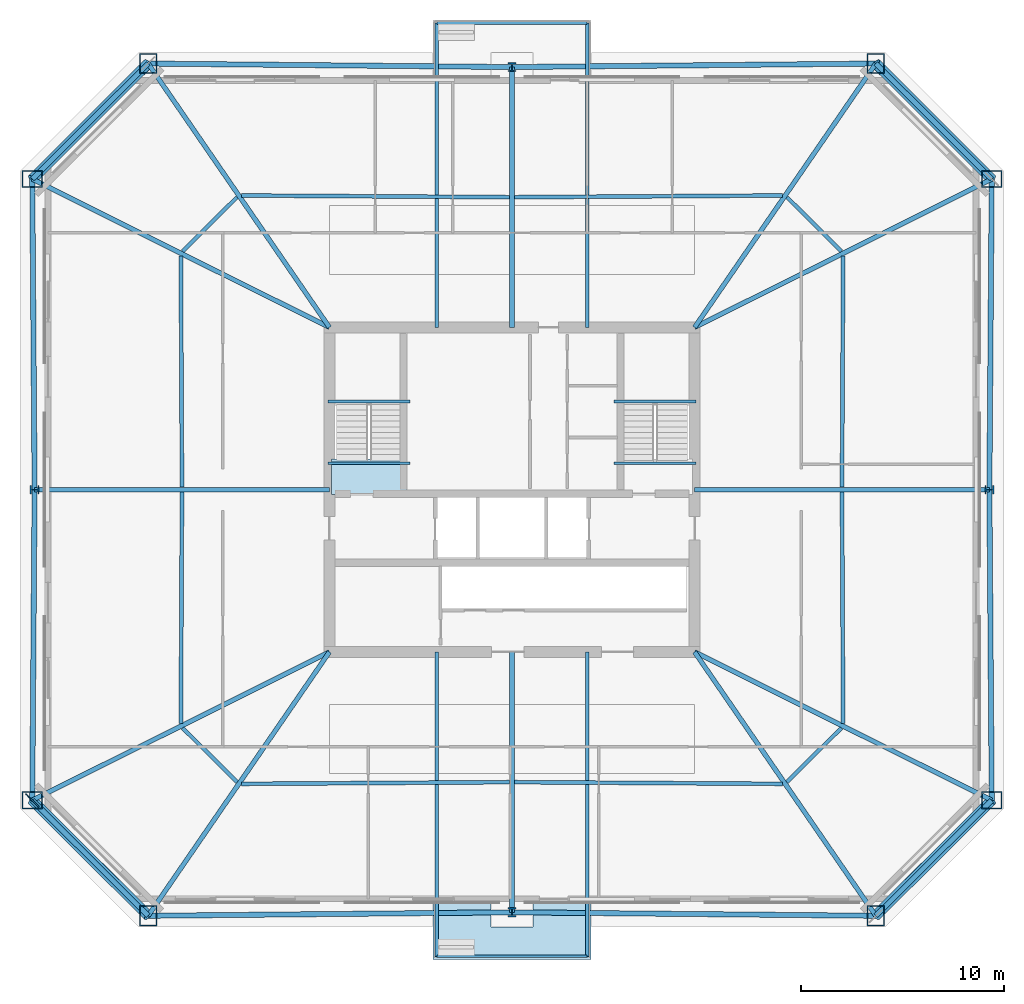
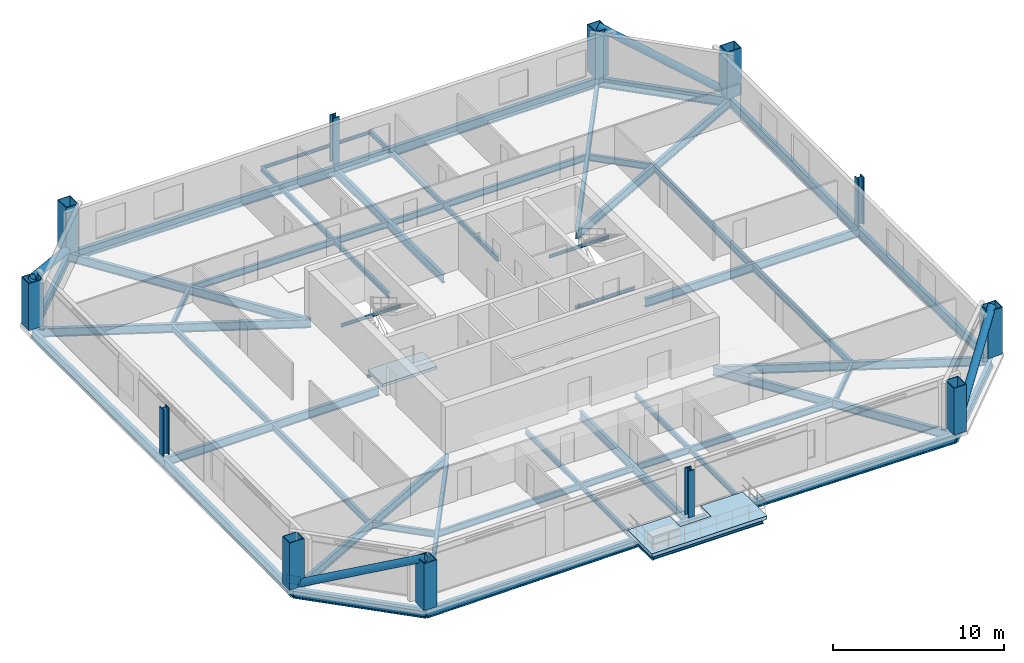
# One storey, part 1 of 7: 46 beams, 12 columns, 4 members, 2 slabs, 1 plate, 1 element without a shape of its own.
"""IFC4 building model written with IfcOpenShell, lengths in metres."""

from ifc_helpers import new_model, si_unit, direction, frame, origin, origin_2d, place, context, subcontext, project, spatial, polyline, rectangle, hollow_rectangle, hollow_circle, i_section, outline, extrude, material, layer, layer_set, material_profile, profile_set, type_object, element, aggregate, save


model = new_model("IFC4")

# Units and contexts
model_context = context("Model", 3, precision=1e-05, world=origin(), true_north=direction((0.0, 1.0)))
body_context = subcontext(model_context, "Body", "Model", "MODEL_VIEW")
ifc_project = project(units=[si_unit("LENGTHUNIT", "METRE"), si_unit("AREAUNIT", "SQUARE_METRE"), si_unit("VOLUMEUNIT", "CUBIC_METRE"), si_unit("PLANEANGLEUNIT", "RADIAN"), si_unit("MASSUNIT", "GRAM", prefix="KILO")], contexts=[model_context])

# Site, building, storey
site_placement = place(None, origin())
site = spatial("IfcSite", under=ifc_project, at=site_placement, CompositionType="ELEMENT")
building_placement = place(site_placement, origin())
building = spatial("IfcBuilding", under=site, at=building_placement, Name="Caelvoria Tower", CompositionType="ELEMENT")
storey_placement = place(building_placement, frame((0.0, 0.0, 109.60009765625)))
storey = spatial("IfcBuildingStorey", under=building, at=storey_placement, Name="L28", CompositionType="ELEMENT", Elevation=109.60009765625)

# Columns
ifc_material_1 = material(Name="Structural Steel ASTM A572 Gr.50", Category="steel")
ifc_material_profile_1 = material_profile(ifc_material_1, hollow_rectangle(XDim=0.85009765625, YDim=1.0, WallThickness=0.050048828125, at=origin_2d()), Name="Structural Steel ASTM A572 Gr.50")
ifc_profile_set_1 = profile_set([ifc_material_profile_1], Name="BOX1000X850X50 - Structural Steel ASTM A572 Gr.50")
column_type_1 = type_object("IfcColumnType", Name="Mega Box Column 1000x850x50", PredefinedType="COLUMN", material=ifc_profile_set_1)
for number, where, z_axis, x_axis, name in (
    (1, (28.0673828125, 10.99755859375, 0.0), (0.0, 0.0, 1.0), (1.0, 0.0, 0.0), "Perimeter Megaframe Column L28-P00"),
    (2, (63.9326171875, 10.99755859375, 0.0), (0.0, 0.0, 1.0), (1.0, 0.0, 0.0), "Perimeter Megaframe Column L28-P02"),
    (3, (69.6455078125, 16.69140625, 0.0), (0.0, 0.0, 1.0), (0.0, 1.0, 0.0), "Perimeter Megaframe Column L28-P03"),
    (4, (69.6455078125, 47.30859375, 0.0), (0.0, 0.0, 1.0), (0.0, 1.0, 0.0), "Perimeter Megaframe Column L28-P05"),
    (5, (63.9326171875, 53.00244140625, 0.0), (0.0, 0.0, 1.0), (1.0, 0.0, 0.0), "Perimeter Megaframe Column L28-P06"),
    (6, (28.0673828125, 53.00244140625, 0.0), (0.0, 0.0, 1.0), (1.0, 0.0, 0.0), "Perimeter Megaframe Column L28-P08"),
    (7, (22.3544921875, 47.30859375, 0.0), (0.0, 0.0, 1.0), (0.0, 1.0, 0.0), "Perimeter Megaframe Column L28-P09"),
    (8, (22.3544921875, 16.69140625, 0.0), (0.0, 0.0, 1.0), (0.0, 1.0, 0.0), "Perimeter Megaframe Column L28-P11"),
):
    element("IfcColumn", number, at=place(storey_placement, frame(where, z_axis=z_axis, x_axis=x_axis)), inside=storey, type_object=column_type_1, Name=name, PredefinedType="COLUMN", context=body_context, shape_type="SweptSolid", body=[
        extrude(hollow_rectangle(XDim=0.85009765625, YDim=1.0, WallThickness=0.050048828125, at=origin_2d()), origin(), (0.0, 0.0, 1.0), 3.35791015625),
    ])
ifc_material_2 = material(Name="Structural Steel ASTM A913 Gr.65", Category="steel")
ifc_material_profile_2 = material_profile(ifc_material_2, i_section(OverallWidth=0.41796875, OverallDepth=0.455078125, WebThickness=0.0419921875, FlangeThickness=0.067626953125, FilletRadius=0.02490234375, at=origin_2d()), Name="Structural Steel ASTM A913 Gr.65")
ifc_profile_set_2 = profile_set([ifc_material_profile_2], Name="W360X551 - Structural Steel ASTM A913 Gr.65")
column_type_2 = type_object("IfcColumnType", Name="Mid Frame Column W360X551", PredefinedType="COLUMN", material=ifc_profile_set_2)
for number, where, z_axis, x_axis, name in (
    (9, (46.0, 11.169921875, 0.0), (0.0, 0.0, 1.0), (1.0, 0.0, 0.0), "Perimeter Megaframe Column L28-P01"),
    (10, (69.530029296875, 32.0, 0.0), (0.0, 0.0, 1.0), (0.0, 1.0, 0.0), "Perimeter Megaframe Column L28-P04"),
    (11, (46.0, 52.830078125, 0.0), (0.0, 0.0, 1.0), (1.0, 0.0, 0.0), "Perimeter Megaframe Column L28-P07"),
    (12, (22.469970703125, 32.0, 0.0), (0.0, 0.0, 1.0), (0.0, 1.0, 0.0), "Perimeter Megaframe Column L28-P10"),
):
    element("IfcColumn", number, at=place(storey_placement, frame(where, z_axis=z_axis, x_axis=x_axis)), inside=storey, type_object=column_type_2, Name=name, PredefinedType="COLUMN", context=body_context, shape_type="SweptSolid", body=[
        extrude(i_section(OverallWidth=0.41796875, OverallDepth=0.455078125, WebThickness=0.0419921875, FlangeThickness=0.067626953125, FilletRadius=0.02490234375, at=origin_2d()), origin(), (0.0, 0.0, 1.0), 3.35791015625),
    ])

# Beams
ifc_material_3 = material(Name="Structural Steel ASTM A992 Gr.50", Category="steel")
ifc_material_profile_3 = material_profile(ifc_material_3, i_section(OverallWidth=0.134033203125, OverallDepth=0.2099609375, WebThickness=0.00634765625, FlangeThickness=0.01025390625, FilletRadius=0.010009765625, at=origin_2d()), Name="Structural Steel ASTM A992 Gr.50")
ifc_profile_set_3 = profile_set([ifc_material_profile_3], Name="W200X31.3 - Structural Steel ASTM A992 Gr.50")
beam_type_1 = type_object("IfcBeamType", Name="Canopy Edge Trim Beam W200X31.3", PredefinedType="BEAM", material=ifc_profile_set_3)
for number, where, z_axis, x_axis, name in (
    (13, (42.300048828125, 9.0, -0.42919921875), (1.0, 0.0, 0.0), (0.0, 1.0, 0.0), "Tree Balcony Edge Beam TB-L28-S"),
    (14, (42.300048828125, 55.0, -0.42919921875), (1.0, 0.0, 0.0), (0.0, 1.0, 0.0), "Tree Balcony Edge Beam TB-L28-N"),
):
    element("IfcBeam", number, at=place(storey_placement, frame(where, z_axis=z_axis, x_axis=x_axis)), inside=storey, type_object=beam_type_1, Name=name, PredefinedType="BEAM", context=body_context, shape_type="SweptSolid", body=[
        extrude(i_section(OverallWidth=0.134033203125, OverallDepth=0.2099609375, WebThickness=0.00634765625, FlangeThickness=0.01025390625, FilletRadius=0.010009765625, at=origin_2d()), origin(), (0.0, 0.0, 1.0), 7.39990234375),
    ])
for number, where, z_axis, x_axis, name in (
    (15, (36.929931640625, 36.35009765625, 1.494873046875), (1.0, 0.0, 0.0), (0.0, 1.0, 0.0), "ST-01 Half-Landing Support Beam L28"),
    (16, (36.929931640625, 33.300048828125, -0.30517578125), (1.0, 0.0, 0.0), (0.0, 1.0, 0.0), "ST-01 Floor-Landing Support Beam L28"),
    (17, (51.030029296875, 36.35009765625, 1.494873046875), (1.0, 0.0, 0.0), (0.0, 1.0, 0.0), "ST-02 Half-Landing Support Beam L28"),
    (18, (51.030029296875, 33.300048828125, -0.30517578125), (1.0, 0.0, 0.0), (0.0, 1.0, 0.0), "ST-02 Floor-Landing Support Beam L28"),
):
    element("IfcBeam", number, at=place(storey_placement, frame(where, z_axis=z_axis, x_axis=x_axis)), inside=storey, type_object=beam_type_1, Name=name, PredefinedType="BEAM", context=body_context, shape_type="SweptSolid", body=[
        extrude(i_section(OverallWidth=0.134033203125, OverallDepth=0.2099609375, WebThickness=0.00634765625, FlangeThickness=0.01025390625, FilletRadius=0.010009765625, at=origin_2d()), origin(), (0.0, 0.0, 1.0), 4.0400390625),
    ])

# Members
ifc_material_profile_4 = material_profile(ifc_material_1, hollow_circle(Radius=0.25390625, WallThickness=0.02001953125, at=origin_2d()), Name="Structural Steel ASTM A572 Gr.50")
ifc_profile_set_4 = profile_set([ifc_material_profile_4], Name="CHS508X20 - Structural Steel ASTM A572 Gr.50")
member_type = type_object("IfcMemberType", Name="Mid Perimeter Mega Brace CHS508X20", PredefinedType="BRACE", material=ifc_profile_set_4)
for number, where, z_axis, x_axis, name in (
    (19, (63.9326171875, 10.99755859375, 0.0), (0.653828148639, 0.651648721477, 0.384529187247), (-0.705925318692, 0.708286272936, 0.0), "Perimeter Chamfer Mega Brace L28 SE"),
    (20, (69.6455078125, 47.30859375, 0.0), (-0.653828148639, 0.651648721477, 0.384529187247), (-0.705925318692, -0.708286272936, 0.0), "Perimeter Chamfer Mega Brace L28 NE"),
    (21, (28.0673828125, 53.00244140625, 0.0), (-0.653828148639, -0.651648721477, 0.384529187247), (0.705925318692, -0.708286272936, 0.0), "Perimeter Chamfer Mega Brace L28 NW"),
    (22, (22.3544921875, 16.69140625, 0.0), (0.653828148639, -0.651648721477, 0.384529187247), (0.705925318692, 0.708286272936, 0.0), "Perimeter Chamfer Mega Brace L28 SW"),
):
    element("IfcMember", number, at=place(storey_placement, frame(where, z_axis=z_axis, x_axis=x_axis)), inside=storey, type_object=member_type, Name=name, PredefinedType="BRACE", context=body_context, shape_type="SweptSolid", body=[
        extrude(hollow_circle(Radius=0.25390625, WallThickness=0.02001953125, at=origin_2d()), origin(), (0.0, 0.0, 1.0), 8.737548828125),
    ])

# Beams
ifc_material_profile_5 = material_profile(ifc_material_3, i_section(OverallWidth=0.25390625, OverallDepth=0.68798828125, WebThickness=0.01318359375, FlangeThickness=0.02099609375, FilletRadius=0.01904296875, at=origin_2d()), Name="Structural Steel ASTM A992 Gr.50")
ifc_profile_set_5 = profile_set([ifc_material_profile_5], Name="W690X152 - Structural Steel ASTM A992 Gr.50")
beam_type_2 = type_object("IfcBeamType", Name="Perimeter Spandrel Girder W690X152", PredefinedType="BEAM", material=ifc_profile_set_5)
for number, where, z_axis, x_axis, name in (
    (23, (28.0673828125, 10.99755859375, -0.583984375), (0.999953810627, 0.009611275259, 0.0), (-0.009611275259, 0.999953810627, 0.0), "Perimeter Spandrel Girder L28-00"),
    (24, (46.0, 11.169921875, -0.583984375), (0.999953810627, -0.009611275259, 0.0), (0.009611275259, 0.999953810627, 0.0), "Perimeter Spandrel Girder L28-01"),
):
    element("IfcBeam", number, at=place(storey_placement, frame(where, z_axis=z_axis, x_axis=x_axis)), inside=storey, type_object=beam_type_2, Name=name, PredefinedType="BEAM", context=body_context, shape_type="SweptSolid", body=[
        extrude(i_section(OverallWidth=0.25390625, OverallDepth=0.68798828125, WebThickness=0.01318359375, FlangeThickness=0.02099609375, FilletRadius=0.01904296875, at=origin_2d()), origin(), (0.0, 0.0, 1.0), 17.933349609375),
    ])
beam_1_placement = place(storey_placement, frame((63.9326171875, 10.99755859375, -0.583984375), z_axis=(0.708286272936, 0.705925318692, 0.0), x_axis=(-0.705925318692, 0.708286272936, 0.0)))
element("IfcBeam", 25, at=beam_1_placement, inside=storey, type_object=beam_type_2, Name="Perimeter Spandrel Girder L28-02", PredefinedType="BEAM", context=body_context, shape_type="SweptSolid", body=[
    extrude(i_section(OverallWidth=0.25390625, OverallDepth=0.68798828125, WebThickness=0.01318359375, FlangeThickness=0.02099609375, FilletRadius=0.01904296875, at=origin_2d()), origin(), (0.0, 0.0, 1.0), 8.065673828125),
])
for number, where, z_axis, x_axis, name in (
    (26, (69.6455078125, 16.69140625, -0.583984375), (-0.007543163803, 0.999971549935, 0.0), (-0.999971549935, -0.007543163803, 0.0), "Perimeter Spandrel Girder L28-03"),
    (27, (69.530029296875, 32.0, -0.583984375), (0.007543163803, 0.999971549935, 0.0), (-0.999971549935, 0.007543163803, 0.0), "Perimeter Spandrel Girder L28-04"),
):
    element("IfcBeam", number, at=place(storey_placement, frame(where, z_axis=z_axis, x_axis=x_axis)), inside=storey, type_object=beam_type_2, Name=name, PredefinedType="BEAM", context=body_context, shape_type="SweptSolid", body=[
        extrude(i_section(OverallWidth=0.25390625, OverallDepth=0.68798828125, WebThickness=0.01318359375, FlangeThickness=0.02099609375, FilletRadius=0.01904296875, at=origin_2d()), origin(), (0.0, 0.0, 1.0), 15.30908203125),
    ])
beam_2_placement = place(storey_placement, frame((69.6455078125, 47.30859375, -0.583984375), z_axis=(-0.708286272936, 0.705925318692, 0.0), x_axis=(-0.705925318692, -0.708286272936, 0.0)))
element("IfcBeam", 28, at=beam_2_placement, inside=storey, type_object=beam_type_2, Name="Perimeter Spandrel Girder L28-05", PredefinedType="BEAM", context=body_context, shape_type="SweptSolid", body=[
    extrude(i_section(OverallWidth=0.25390625, OverallDepth=0.68798828125, WebThickness=0.01318359375, FlangeThickness=0.02099609375, FilletRadius=0.01904296875, at=origin_2d()), origin(), (0.0, 0.0, 1.0), 8.065673828125),
])
for number, where, z_axis, x_axis, name in (
    (29, (63.9326171875, 53.00244140625, -0.583984375), (-0.999953810627, -0.009611275259, 0.0), (0.009611275259, -0.999953810627, 0.0), "Perimeter Spandrel Girder L28-06"),
    (30, (46.0, 52.830078125, -0.583984375), (-0.999953810627, 0.009611275259, 0.0), (-0.009611275259, -0.999953810627, 0.0), "Perimeter Spandrel Girder L28-07"),
):
    element("IfcBeam", number, at=place(storey_placement, frame(where, z_axis=z_axis, x_axis=x_axis)), inside=storey, type_object=beam_type_2, Name=name, PredefinedType="BEAM", context=body_context, shape_type="SweptSolid", body=[
        extrude(i_section(OverallWidth=0.25390625, OverallDepth=0.68798828125, WebThickness=0.01318359375, FlangeThickness=0.02099609375, FilletRadius=0.01904296875, at=origin_2d()), origin(), (0.0, 0.0, 1.0), 17.933349609375),
    ])
beam_3_placement = place(storey_placement, frame((28.0673828125, 53.00244140625, -0.583984375), z_axis=(-0.708286272936, -0.705925318692, 0.0), x_axis=(0.705925318692, -0.708286272936, 0.0)))
element("IfcBeam", 31, at=beam_3_placement, inside=storey, type_object=beam_type_2, Name="Perimeter Spandrel Girder L28-08", PredefinedType="BEAM", context=body_context, shape_type="SweptSolid", body=[
    extrude(i_section(OverallWidth=0.25390625, OverallDepth=0.68798828125, WebThickness=0.01318359375, FlangeThickness=0.02099609375, FilletRadius=0.01904296875, at=origin_2d()), origin(), (0.0, 0.0, 1.0), 8.065673828125),
])
for number, where, z_axis, x_axis, name in (
    (32, (22.3544921875, 47.30859375, -0.583984375), (0.007543163803, -0.999971549935, 0.0), (0.999971549935, 0.007543163803, 0.0), "Perimeter Spandrel Girder L28-09"),
    (33, (22.469970703125, 32.0, -0.583984375), (-0.007543163803, -0.999971549935, 0.0), (0.999971549935, -0.007543163803, 0.0), "Perimeter Spandrel Girder L28-10"),
):
    element("IfcBeam", number, at=place(storey_placement, frame(where, z_axis=z_axis, x_axis=x_axis)), inside=storey, type_object=beam_type_2, Name=name, PredefinedType="BEAM", context=body_context, shape_type="SweptSolid", body=[
        extrude(i_section(OverallWidth=0.25390625, OverallDepth=0.68798828125, WebThickness=0.01318359375, FlangeThickness=0.02099609375, FilletRadius=0.01904296875, at=origin_2d()), origin(), (0.0, 0.0, 1.0), 15.30908203125),
    ])
beam_4_placement = place(storey_placement, frame((22.3544921875, 16.69140625, -0.583984375), z_axis=(0.708286272936, -0.705925318692, 0.0), x_axis=(0.705925318692, 0.708286272936, 0.0)))
element("IfcBeam", 34, at=beam_4_placement, inside=storey, type_object=beam_type_2, Name="Perimeter Spandrel Girder L28-11", PredefinedType="BEAM", context=body_context, shape_type="SweptSolid", body=[
    extrude(i_section(OverallWidth=0.25390625, OverallDepth=0.68798828125, WebThickness=0.01318359375, FlangeThickness=0.02099609375, FilletRadius=0.01904296875, at=origin_2d()), origin(), (0.0, 0.0, 1.0), 8.065673828125),
])
ifc_material_profile_6 = material_profile(ifc_material_3, i_section(OverallWidth=0.22900390625, OverallDepth=0.612060546875, WebThickness=0.011962890625, FlangeThickness=0.01953125, FilletRadius=0.01806640625, at=origin_2d()), Name="Structural Steel ASTM A992 Gr.50")
ifc_profile_set_6 = profile_set([ifc_material_profile_6], Name="W610X125 - Structural Steel ASTM A992 Gr.50")
beam_type_3 = type_object("IfcBeamType", Name="Primary Radial Floor Girder W610X125", PredefinedType="BEAM", material=ifc_profile_set_6)
beam_5_placement = place(storey_placement, frame((37.0, 24.0, -0.546142578125), z_axis=(-0.566246357652, -0.824236047771, 0.0), x_axis=(0.824236047771, -0.566246357652, 0.0)))
element("IfcBeam", 35, at=beam_5_placement, inside=storey, type_object=beam_type_3, Name="Primary Floor Girder L28-00", PredefinedType="BEAM", context=body_context, shape_type="SweptSolid", body=[
    extrude(i_section(OverallWidth=0.22900390625, OverallDepth=0.612060546875, WebThickness=0.011962890625, FlangeThickness=0.01953125, FilletRadius=0.01806640625, at=origin_2d()), origin(), (0.0, 0.0, 1.0), 15.775146484375),
])
beam_6_placement = place(storey_placement, frame((46.0, 24.0, -0.546142578125), z_axis=(0.0, -1.0, 0.0), x_axis=(1.0, 0.0, 0.0)))
element("IfcBeam", 36, at=beam_6_placement, inside=storey, type_object=beam_type_3, Name="Primary Floor Girder L28-01", PredefinedType="BEAM", context=body_context, shape_type="SweptSolid", body=[
    extrude(i_section(OverallWidth=0.22900390625, OverallDepth=0.612060546875, WebThickness=0.011962890625, FlangeThickness=0.01953125, FilletRadius=0.01806640625, at=origin_2d()), origin(), (0.0, 0.0, 1.0), 12.830078125),
])
beam_7_placement = place(storey_placement, frame((55.0, 24.0, -0.546142578125), z_axis=(0.566246357652, -0.824236047771, 0.0), x_axis=(0.824236047771, 0.566246357652, 0.0)))
element("IfcBeam", 37, at=beam_7_placement, inside=storey, type_object=beam_type_3, Name="Primary Floor Girder L28-02", PredefinedType="BEAM", context=body_context, shape_type="SweptSolid", body=[
    extrude(i_section(OverallWidth=0.22900390625, OverallDepth=0.612060546875, WebThickness=0.011962890625, FlangeThickness=0.01953125, FilletRadius=0.01806640625, at=origin_2d()), origin(), (0.0, 0.0, 1.0), 15.775146484375),
])
beam_8_placement = place(storey_placement, frame((55.0, 24.0, -0.546142578125), z_axis=(0.894772971324, -0.446521365432, 0.0), x_axis=(0.446521365432, 0.894772971324, 0.0)))
element("IfcBeam", 38, at=beam_8_placement, inside=storey, type_object=beam_type_3, Name="Primary Floor Girder L28-03", PredefinedType="BEAM", context=body_context, shape_type="SweptSolid", body=[
    extrude(i_section(OverallWidth=0.22900390625, OverallDepth=0.612060546875, WebThickness=0.011962890625, FlangeThickness=0.01953125, FilletRadius=0.01806640625, at=origin_2d()), origin(), (0.0, 0.0, 1.0), 16.367919921875),
])
beam_9_placement = place(storey_placement, frame((55.0, 32.0, -0.546142578125), z_axis=(1.0, 0.0, 0.0), x_axis=(0.0, 1.0, 0.0)))
element("IfcBeam", 39, at=beam_9_placement, inside=storey, type_object=beam_type_3, Name="Primary Floor Girder L28-04", PredefinedType="BEAM", context=body_context, shape_type="SweptSolid", body=[
    extrude(i_section(OverallWidth=0.22900390625, OverallDepth=0.612060546875, WebThickness=0.011962890625, FlangeThickness=0.01953125, FilletRadius=0.01806640625, at=origin_2d()), origin(), (0.0, 0.0, 1.0), 14.530029296875),
])
beam_10_placement = place(storey_placement, frame((55.0, 40.0, -0.546142578125), z_axis=(0.894772971324, 0.446521365432, 0.0), x_axis=(-0.446521365432, 0.894772971324, 0.0)))
element("IfcBeam", 40, at=beam_10_placement, inside=storey, type_object=beam_type_3, Name="Primary Floor Girder L28-05", PredefinedType="BEAM", context=body_context, shape_type="SweptSolid", body=[
    extrude(i_section(OverallWidth=0.22900390625, OverallDepth=0.612060546875, WebThickness=0.011962890625, FlangeThickness=0.01953125, FilletRadius=0.01806640625, at=origin_2d()), origin(), (0.0, 0.0, 1.0), 16.367919921875),
])
beam_11_placement = place(storey_placement, frame((55.0, 40.0, -0.546142578125), z_axis=(0.566246357652, 0.824236047771, 0.0), x_axis=(-0.824236047771, 0.566246357652, 0.0)))
element("IfcBeam", 41, at=beam_11_placement, inside=storey, type_object=beam_type_3, Name="Primary Floor Girder L28-06", PredefinedType="BEAM", context=body_context, shape_type="SweptSolid", body=[
    extrude(i_section(OverallWidth=0.22900390625, OverallDepth=0.612060546875, WebThickness=0.011962890625, FlangeThickness=0.01953125, FilletRadius=0.01806640625, at=origin_2d()), origin(), (0.0, 0.0, 1.0), 15.775146484375),
])
beam_12_placement = place(storey_placement, frame((46.0, 40.0, -0.546142578125), z_axis=(0.0, 1.0, 0.0), x_axis=(-1.0, 0.0, 0.0)))
element("IfcBeam", 42, at=beam_12_placement, inside=storey, type_object=beam_type_3, Name="Primary Floor Girder L28-07", PredefinedType="BEAM", context=body_context, shape_type="SweptSolid", body=[
    extrude(i_section(OverallWidth=0.22900390625, OverallDepth=0.612060546875, WebThickness=0.011962890625, FlangeThickness=0.01953125, FilletRadius=0.01806640625, at=origin_2d()), origin(), (0.0, 0.0, 1.0), 12.830078125),
])
beam_13_placement = place(storey_placement, frame((37.0, 40.0, -0.546142578125), z_axis=(-0.566246357652, 0.824236047771, 0.0), x_axis=(-0.824236047771, -0.566246357652, 0.0)))
element("IfcBeam", 43, at=beam_13_placement, inside=storey, type_object=beam_type_3, Name="Primary Floor Girder L28-08", PredefinedType="BEAM", context=body_context, shape_type="SweptSolid", body=[
    extrude(i_section(OverallWidth=0.22900390625, OverallDepth=0.612060546875, WebThickness=0.011962890625, FlangeThickness=0.01953125, FilletRadius=0.01806640625, at=origin_2d()), origin(), (0.0, 0.0, 1.0), 15.775146484375),
])
beam_14_placement = place(storey_placement, frame((37.0, 40.0, -0.546142578125), z_axis=(-0.894772971324, 0.446521365432, 0.0), x_axis=(-0.446521365432, -0.894772971324, 0.0)))
element("IfcBeam", 44, at=beam_14_placement, inside=storey, type_object=beam_type_3, Name="Primary Floor Girder L28-09", PredefinedType="BEAM", context=body_context, shape_type="SweptSolid", body=[
    extrude(i_section(OverallWidth=0.22900390625, OverallDepth=0.612060546875, WebThickness=0.011962890625, FlangeThickness=0.01953125, FilletRadius=0.01806640625, at=origin_2d()), origin(), (0.0, 0.0, 1.0), 16.367919921875),
])
beam_15_placement = place(storey_placement, frame((37.0, 32.0, -0.546142578125), z_axis=(-1.0, 0.0, 0.0), x_axis=(0.0, -1.0, 0.0)))
element("IfcBeam", 45, at=beam_15_placement, inside=storey, type_object=beam_type_3, Name="Primary Floor Girder L28-10", PredefinedType="BEAM", context=body_context, shape_type="SweptSolid", body=[
    extrude(i_section(OverallWidth=0.22900390625, OverallDepth=0.612060546875, WebThickness=0.011962890625, FlangeThickness=0.01953125, FilletRadius=0.01806640625, at=origin_2d()), origin(), (0.0, 0.0, 1.0), 14.530029296875),
])
beam_16_placement = place(storey_placement, frame((37.0, 24.0, -0.546142578125), z_axis=(-0.894772971324, -0.446521365432, 0.0), x_axis=(0.446521365432, -0.894772971324, 0.0)))
element("IfcBeam", 46, at=beam_16_placement, inside=storey, type_object=beam_type_3, Name="Primary Floor Girder L28-11", PredefinedType="BEAM", context=body_context, shape_type="SweptSolid", body=[
    extrude(i_section(OverallWidth=0.22900390625, OverallDepth=0.612060546875, WebThickness=0.011962890625, FlangeThickness=0.01953125, FilletRadius=0.01806640625, at=origin_2d()), origin(), (0.0, 0.0, 1.0), 16.367919921875),
])
ifc_material_profile_7 = material_profile(ifc_material_3, i_section(OverallWidth=0.18994140625, OverallDepth=0.45703125, WebThickness=0.009033203125, FlangeThickness=0.014404296875, FilletRadius=0.014892578125, at=origin_2d()), Name="Structural Steel ASTM A992 Gr.50")
ifc_profile_set_7 = profile_set([ifc_material_profile_7], Name="W460X74 - Structural Steel ASTM A992 Gr.50")
beam_type_4 = type_object("IfcBeamType", Name="Secondary Floor Beam W460X74", PredefinedType="BEAM", material=ifc_profile_set_7)
for number, where, z_axis, x_axis, name in (
    (47, (32.65869140625, 17.49951171875, -0.468505859375), (0.999979456458, 0.006409887897, 0.0), (-0.006409887897, 0.999979456458, 0.0), "Secondary Floor Beam L28-00"),
    (48, (46.125, 17.584228515625, -0.468505859375), (0.999979456458, -0.006409887897, 0.0), (0.006409887897, 0.999979456458, 0.0), "Secondary Floor Beam L28-01"),
):
    element("IfcBeam", number, at=place(storey_placement, frame(where, z_axis=z_axis, x_axis=x_axis)), inside=storey, type_object=beam_type_4, Name=name, PredefinedType="BEAM", context=body_context, shape_type="SweptSolid", body=[
        extrude(i_section(OverallWidth=0.18994140625, OverallDepth=0.45703125, WebThickness=0.009033203125, FlangeThickness=0.014404296875, FilletRadius=0.014892578125, at=origin_2d()), origin(), (0.0, 0.0, 1.0), 13.216552734375),
    ])
beam_17_placement = place(storey_placement, frame((59.5546875, 17.5869140625, -0.468505859375), z_axis=(0.708331875661, 0.705879560494, 0.0), x_axis=(-0.705879560494, 0.708331875661, 0.0)))
element("IfcBeam", 49, at=beam_17_placement, inside=storey, type_object=beam_type_4, Name="Secondary Floor Beam L28-02", PredefinedType="BEAM", context=body_context, shape_type="SweptSolid", body=[
    extrude(i_section(OverallWidth=0.18994140625, OverallDepth=0.45703125, WebThickness=0.009033203125, FlangeThickness=0.014404296875, FilletRadius=0.014892578125, at=origin_2d()), origin(), (0.0, 0.0, 1.0), 3.783203125),
])
for number, where, z_axis, x_axis, name in (
    (50, (62.322265625, 20.470703125, -0.468505859375), (-0.004966542616, 0.999987666651, 0.0), (-0.999987666651, -0.004966542616, 0.0), "Secondary Floor Beam L28-03"),
    (51, (62.265625, 32.125, -0.468505859375), (0.004966542616, 0.999987666651, 0.0), (-0.999987666651, 0.004966542616, 0.0), "Secondary Floor Beam L28-04"),
):
    element("IfcBeam", number, at=place(storey_placement, frame(where, z_axis=z_axis, x_axis=x_axis)), inside=storey, type_object=beam_type_4, Name=name, PredefinedType="BEAM", context=body_context, shape_type="SweptSolid", body=[
        extrude(i_section(OverallWidth=0.18994140625, OverallDepth=0.45703125, WebThickness=0.009033203125, FlangeThickness=0.014404296875, FilletRadius=0.014892578125, at=origin_2d()), origin(), (0.0, 0.0, 1.0), 11.404541015625),
    ])
beam_18_placement = place(storey_placement, frame((62.234375, 43.74267578125, -0.468505859375), z_axis=(-0.708331875661, 0.705879560494, 0.0), x_axis=(-0.705879560494, -0.708331875661, 0.0)))
element("IfcBeam", 52, at=beam_18_placement, inside=storey, type_object=beam_type_4, Name="Secondary Floor Beam L28-05", PredefinedType="BEAM", context=body_context, shape_type="SweptSolid", body=[
    extrude(i_section(OverallWidth=0.18994140625, OverallDepth=0.45703125, WebThickness=0.009033203125, FlangeThickness=0.014404296875, FilletRadius=0.014892578125, at=origin_2d()), origin(), (0.0, 0.0, 1.0), 3.783203125),
])
for number, where, z_axis, x_axis, name in (
    (53, (59.34130859375, 46.50048828125, -0.468505859375), (-0.999979456458, -0.006409887897, 0.0), (0.006409887897, -0.999979456458, 0.0), "Secondary Floor Beam L28-06"),
    (54, (45.875, 46.415771484375, -0.468505859375), (-0.999979456458, 0.006409887897, 0.0), (-0.006409887897, -0.999979456458, 0.0), "Secondary Floor Beam L28-07"),
):
    element("IfcBeam", number, at=place(storey_placement, frame(where, z_axis=z_axis, x_axis=x_axis)), inside=storey, type_object=beam_type_4, Name=name, PredefinedType="BEAM", context=body_context, shape_type="SweptSolid", body=[
        extrude(i_section(OverallWidth=0.18994140625, OverallDepth=0.45703125, WebThickness=0.009033203125, FlangeThickness=0.014404296875, FilletRadius=0.014892578125, at=origin_2d()), origin(), (0.0, 0.0, 1.0), 13.216552734375),
    ])
beam_19_placement = place(storey_placement, frame((32.4453125, 46.4130859375, -0.468505859375), z_axis=(-0.708331875661, -0.705879560494, 0.0), x_axis=(0.705879560494, -0.708331875661, 0.0)))
element("IfcBeam", 55, at=beam_19_placement, inside=storey, type_object=beam_type_4, Name="Secondary Floor Beam L28-08", PredefinedType="BEAM", context=body_context, shape_type="SweptSolid", body=[
    extrude(i_section(OverallWidth=0.18994140625, OverallDepth=0.45703125, WebThickness=0.009033203125, FlangeThickness=0.014404296875, FilletRadius=0.014892578125, at=origin_2d()), origin(), (0.0, 0.0, 1.0), 3.783203125),
])
for number, where, z_axis, x_axis, name in (
    (56, (29.677734375, 43.529296875, -0.468505859375), (0.004966542616, -0.999987666651, 0.0), (0.999987666651, 0.004966542616, 0.0), "Secondary Floor Beam L28-09"),
    (57, (29.734375, 31.875, -0.468505859375), (-0.004966542616, -0.999987666651, 0.0), (0.999987666651, -0.004966542616, 0.0), "Secondary Floor Beam L28-10"),
):
    element("IfcBeam", number, at=place(storey_placement, frame(where, z_axis=z_axis, x_axis=x_axis)), inside=storey, type_object=beam_type_4, Name=name, PredefinedType="BEAM", context=body_context, shape_type="SweptSolid", body=[
        extrude(i_section(OverallWidth=0.18994140625, OverallDepth=0.45703125, WebThickness=0.009033203125, FlangeThickness=0.014404296875, FilletRadius=0.014892578125, at=origin_2d()), origin(), (0.0, 0.0, 1.0), 11.404541015625),
    ])
beam_20_placement = place(storey_placement, frame((29.765625, 20.25732421875, -0.468505859375), z_axis=(0.708331875661, -0.705879560494, 0.0), x_axis=(0.705879560494, 0.708331875661, 0.0)))
element("IfcBeam", 58, at=beam_20_placement, inside=storey, type_object=beam_type_4, Name="Secondary Floor Beam L28-11", PredefinedType="BEAM", context=body_context, shape_type="SweptSolid", body=[
    extrude(i_section(OverallWidth=0.18994140625, OverallDepth=0.45703125, WebThickness=0.009033203125, FlangeThickness=0.014404296875, FilletRadius=0.014892578125, at=origin_2d()), origin(), (0.0, 0.0, 1.0), 3.783203125),
])
ifc_material_profile_8 = material_profile(ifc_material_3, i_section(OverallWidth=0.1708984375, OverallDepth=0.35498046875, WebThickness=0.007080078125, FlangeThickness=0.01171875, FilletRadius=0.012939453125, at=origin_2d()), Name="Structural Steel ASTM A992 Gr.50")
ifc_profile_set_8 = profile_set([ifc_material_profile_8], Name="W360X51 - Structural Steel ASTM A992 Gr.50")
beam_type_5 = type_object("IfcBeamType", Name="Tree Balcony Cantilever Beam W360X51", PredefinedType="BEAM", material=ifc_profile_set_8)
for number, where, z_axis, x_axis, name in (
    (59, (42.300048828125, 24.0, -0.42919921875), (0.0, -1.0, 0.0), (1.0, 0.0, 0.0), "Tree Balcony Cantilever Beam TB-L28-S L"),
    (60, (49.699951171875, 24.0, -0.42919921875), (0.0, -1.0, 0.0), (1.0, 0.0, 0.0), "Tree Balcony Cantilever Beam TB-L28-S R"),
    (61, (42.300048828125, 40.0, -0.42919921875), (0.0, 1.0, 0.0), (-1.0, 0.0, 0.0), "Tree Balcony Cantilever Beam TB-L28-N L"),
    (62, (49.699951171875, 40.0, -0.42919921875), (0.0, 1.0, 0.0), (-1.0, 0.0, 0.0), "Tree Balcony Cantilever Beam TB-L28-N R"),
):
    element("IfcBeam", number, at=place(storey_placement, frame(where, z_axis=z_axis, x_axis=x_axis)), inside=storey, type_object=beam_type_5, Name=name, PredefinedType="BEAM", context=body_context, shape_type="SweptSolid", body=[
        extrude(i_section(OverallWidth=0.1708984375, OverallDepth=0.35498046875, WebThickness=0.007080078125, FlangeThickness=0.01171875, FilletRadius=0.012939453125, at=origin_2d()), origin(), (0.0, 0.0, 1.0), 15.0),
    ])

# Plate
ifc_layer_1 = layer(ifc_material_1, 0.0400390625, Name="Structural Steel ASTM A572 Gr.50")
ifc_layer_set_1 = layer_set([ifc_layer_1], Name="Megaframe Node Gusset Plate 900x600x40 - Structural Steel ASTM A572 Gr.50")
plate_type = type_object("IfcPlateType", Name="Megaframe Node Gusset Plate 900x600x40", PredefinedType="USERDEFINED", material=ifc_layer_set_1)
plate_placement = place(storey_placement, frame((22.3544921875, 16.69140625, 0.019775390625), z_axis=(0.0, 0.0, 1.0), x_axis=(0.708307805559, -0.705903713394, 0.0)))
element("IfcPlate", 63, at=plate_placement, inside=storey, type_object=plate_type, Name="Chamfer Mega Brace Gusset L28 SW", ObjectType="GUSSET_PLATE", PredefinedType="USERDEFINED", context=body_context, shape_type="SweptSolid", body=[
    extrude(rectangle(XDim=0.89990234375, YDim=0.0400390625, at=origin_2d()), origin(), (0.0, 0.0, 1.0), 0.60009765625),
])

# Stair, slab
ifc_material_4 = material(Name="Concrete C40/50", Category="concrete")
stair_type = type_object("IfcStairType", Name="Core Smokeproof Dogleg Stair Concrete C40/50", PredefinedType="HALF_TURN_STAIR", material=ifc_material_4)
stair_placement = place(storey_placement, origin())
stair = element("IfcStair", 64, at=stair_placement, inside=storey, type_object=stair_type, Name="ST-01 Smokeproof Exit Stair L28", PredefinedType="HALF_TURN_STAIR")
ifc_layer_2 = layer(ifc_material_4, 0.199951171875, Name="Concrete C40/50")
ifc_layer_set_2 = layer_set([ifc_layer_2], Name="Stair Half and Floor Landing Slab 200 Concrete C40/50 - Concrete C40/50")
slab_type_1 = type_object("IfcSlabType", Name="Stair Half and Floor Landing Slab 200 Concrete C40/50", PredefinedType="LANDING", material=ifc_layer_set_2)
slab_1_placement = place(storey_placement, frame((0.0, 0.0, -0.2001953125)))
slab_1 = element("IfcSlab", 65, at=slab_1_placement, type_object=slab_type_1, Name="ST-01 landing 1", PredefinedType="LANDING", context=body_context, shape_type="SweptSolid", body=[
    extrude(outline(polyline([(37.10009765625, 31.77001953125), (40.800048828125, 31.77001953125), (40.800048828125, 33.5), (37.10009765625, 33.5), (37.10009765625, 31.77001953125)])), origin(), (0.0, 0.0, 1.0), 0.2001953125),
])
aggregate(stair, [slab_1])

# Slab
ifc_material_5 = material(Name="Concrete C45/55", Category="concrete")
ifc_layer_3 = layer(ifc_material_5, 0.25, Name="Concrete C45/55")
ifc_layer_set_3 = layer_set([ifc_layer_3], Name="Tree Balcony Structural Planter Slab 250 - Concrete C45/55")
slab_type_2 = type_object("IfcSlabType", Name="Tree Balcony Structural Planter Slab 250", PredefinedType="FLOOR", material=ifc_layer_set_3)
slab_2_placement = place(storey_placement, frame((0.0, 0.0, -0.25)))
element("IfcSlab", 66, at=slab_2_placement, inside=storey, type_object=slab_type_2, Name="Tree Balcony Slab TB-L28-S", PredefinedType="FLOOR", context=body_context, shape_type="SweptSolid", body=[
    extrude(outline(polyline([(49.89990234375, 10.449951171875), (49.89990234375, 11.68994140625), (47.0400390625, 11.68994140625), (47.0400390625, 10.449951171875), (44.9599609375, 10.449951171875), (44.9599609375, 11.68994140625), (42.10009765625, 11.68994140625), (42.10009765625, 10.449951171875), (42.10009765625, 8.85009765625), (49.89990234375, 8.85009765625), (49.89990234375, 10.449951171875)])), origin(), (0.0, 0.0, 1.0), 0.25),
])

save(model, "model.ifc")
